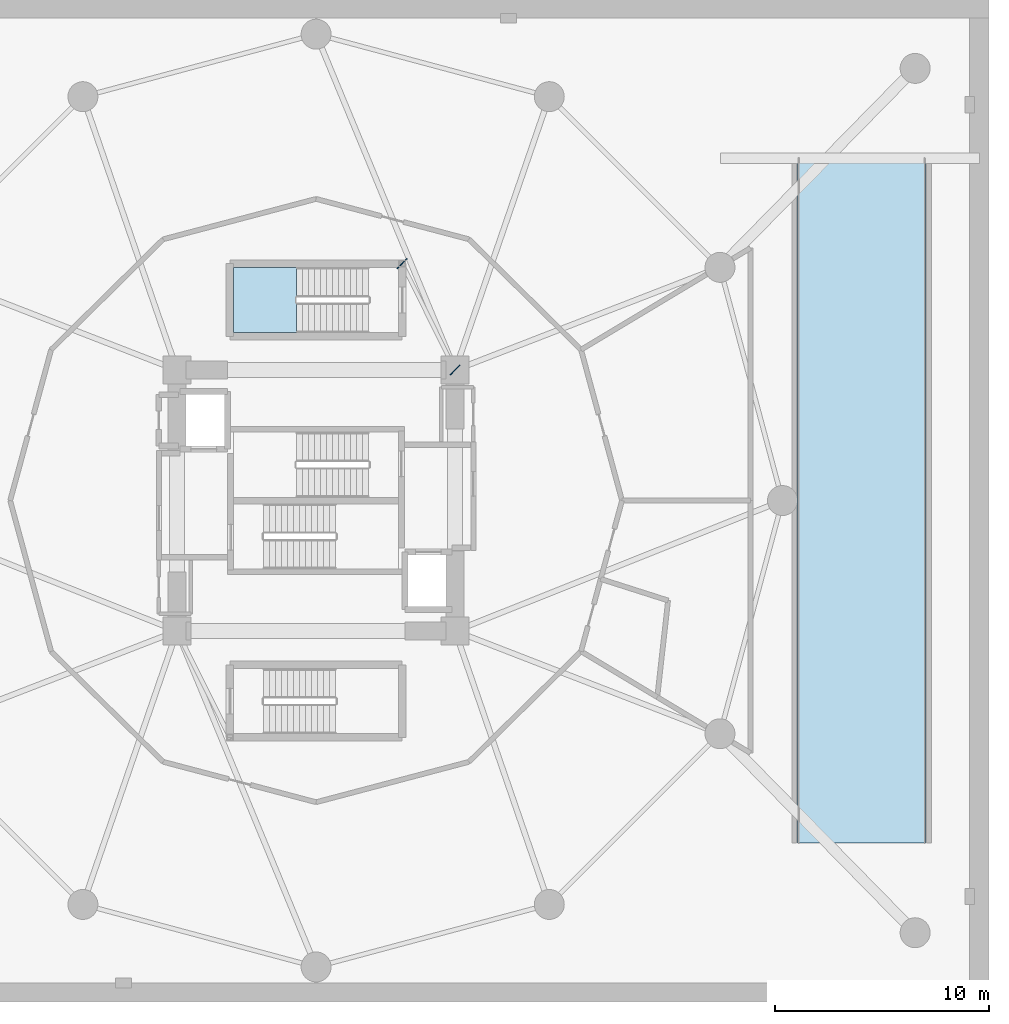
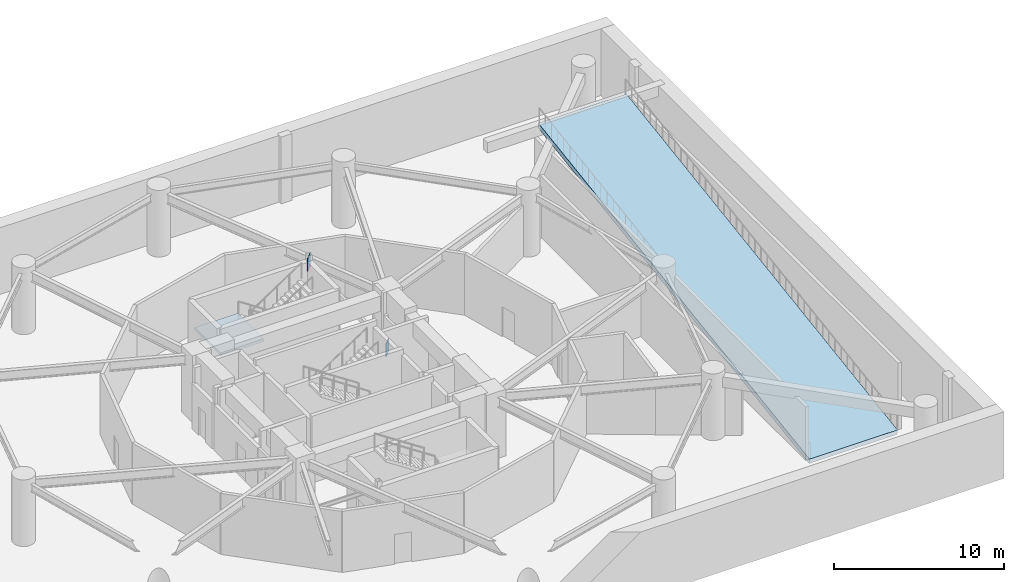
# One storey, part 5 of 10: 2 plates, 2 slabs, 1 element without a shape of its own.
"""IFC4 building model written with IfcOpenShell, lengths in metres."""

from ifc_helpers import new_model, si_unit, direction, frame, origin, origin_2d, place, context, subcontext, project, spatial, polyline, rectangle, outline, extrude, material, layer, layer_set, type_object, element, aggregate, save


model = new_model("IFC4")

# Units and contexts
model_context = context("Model", 3, precision=1e-05, world=origin(), true_north=direction((0.0, 1.0)))
body_context = subcontext(model_context, "Body", "Model", "MODEL_VIEW")
ifc_project = project(units=[si_unit("LENGTHUNIT", "METRE"), si_unit("AREAUNIT", "SQUARE_METRE"), si_unit("VOLUMEUNIT", "CUBIC_METRE"), si_unit("PLANEANGLEUNIT", "RADIAN"), si_unit("MASSUNIT", "GRAM", prefix="KILO")], contexts=[model_context])

# Site, building, storey
site_placement = place(None, origin())
site = spatial("IfcSite", under=ifc_project, at=site_placement, CompositionType="ELEMENT")
building_placement = place(site_placement, origin())
building = spatial("IfcBuilding", under=site, at=building_placement, Name="Solvirekh Grand Hotel", CompositionType="ELEMENT")
storey_placement = place(building_placement, frame((0.0, 0.0, -4.800048828125)))
storey = spatial("IfcBuildingStorey", under=building, at=storey_placement, Name="B01", CompositionType="ELEMENT", Elevation=-4.800048828125)

# Stair, slab
ifc_material_1 = material(Name="Steel S355", Category="steel")
stair_type = type_object("IfcStairType", Name="Stair_Grand_2000", PredefinedType="STRAIGHT_RUN_STAIR", material=ifc_material_1)
stair_placement = place(storey_placement, origin())
stair = element("IfcStair", 1, at=stair_placement, inside=storey, type_object=stair_type, Name="B01 Enclosed exit stair ST-4", PredefinedType="STRAIGHT_RUN_STAIR")
ifc_material_2 = material(Name="Concrete C40/50", Category="concrete")
ifc_layer_1 = layer(ifc_material_2, 0.219970703125)
ifc_layer_set_1 = layer_set([ifc_layer_1], Name="Concrete C40/50")
slab_type_1 = type_object("IfcSlabType", Name="Landing_PodStair_220", PredefinedType="LANDING", material=ifc_layer_set_1)
slab_1_placement = place(storey_placement, frame((0.0, 0.0, 2.199951171875)))
slab_1 = element("IfcSlab", 2, at=slab_1_placement, type_object=slab_type_1, Name="ST-4 landing 1", PredefinedType="LANDING", context=body_context, shape_type="SweptSolid", body=[
    extrude(outline(polyline([(-0.909912109375, 10.89990234375), (-3.85009765625, 10.89990234375), (-3.85009765625, 7.85009765625), (-0.909912109375, 7.85009765625), (-0.909912109375, 10.89990234375)])), origin(), (0.0, 0.0, 1.0), 0.2001953125),
])
aggregate(stair, [slab_1])

# Plates
ifc_layer_2 = layer(ifc_material_1, 0.0400390625)
ifc_layer_set_2 = layer_set([ifc_layer_2], Name="Steel S355")
plate_type = type_object("IfcPlateType", Name="NodeCapPlate_40", PredefinedType="SHEET", material=ifc_layer_set_2)
for number, where, z_axis, x_axis, name in (
    (3, (6.5, 6.10009765625, -0.22509765625), (0.0, 0.0, 1.0), (-0.707106781187, 0.707106781187, 0.0), "B01 hollow-section node plate NP-B01-SG4A"),
    (4, (4.02490234375, 11.074951171875, 3.77490234375), (0.0, 0.0, 1.0), (-0.707106781187, 0.707106781187, 0.0), "B01 hollow-section node plate NP-B01-SG4B"),
):
    element("IfcPlate", number, at=place(storey_placement, frame(where, z_axis=z_axis, x_axis=x_axis)), inside=storey, type_object=plate_type, Name=name, PredefinedType="SHEET", context=body_context, shape_type="SweptSolid", body=[
        extrude(rectangle(XDim=0.0400390625, YDim=0.64990234375, at=origin_2d()), origin(), (0.0, 0.0, 1.0), 0.949951171875),
    ])

# Slab
ifc_layer_3 = layer(ifc_material_2, 0.35009765625)
ifc_layer_set_3 = layer_set([ifc_layer_3], Name="Concrete C40/50")
slab_type_2 = type_object("IfcSlabType", Name="Slab_VehRamp_350", PredefinedType="FLOOR", material=ifc_layer_set_3)
slab_2_placement = place(storey_placement, frame((22.5, -16.0, 0.0), z_axis=(0.0, -0.148341928722, 0.988936131498), x_axis=(1.0, 0.0, 0.0)))
element("IfcSlab", 5, at=slab_2_placement, inside=storey, type_object=slab_type_2, Name="Car park vehicle ramp R2 structural slab (B01)", PredefinedType="FLOOR", context=body_context, shape_type="SweptSolid", body=[
    extrude(outline(polyline([(0.0, 0.0), (6.0, 0.0), (6.0, 32.35800470907291), (0.0, 32.35800470907291), (0.0, 0.0)])), origin(), (0.0, 0.0, -1.0), 0.35009765625),
])

save(model, "model.ifc")
